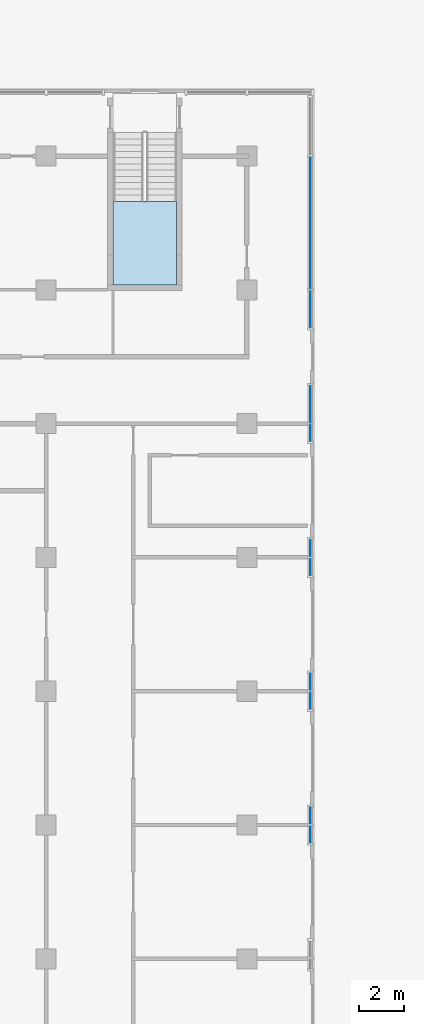
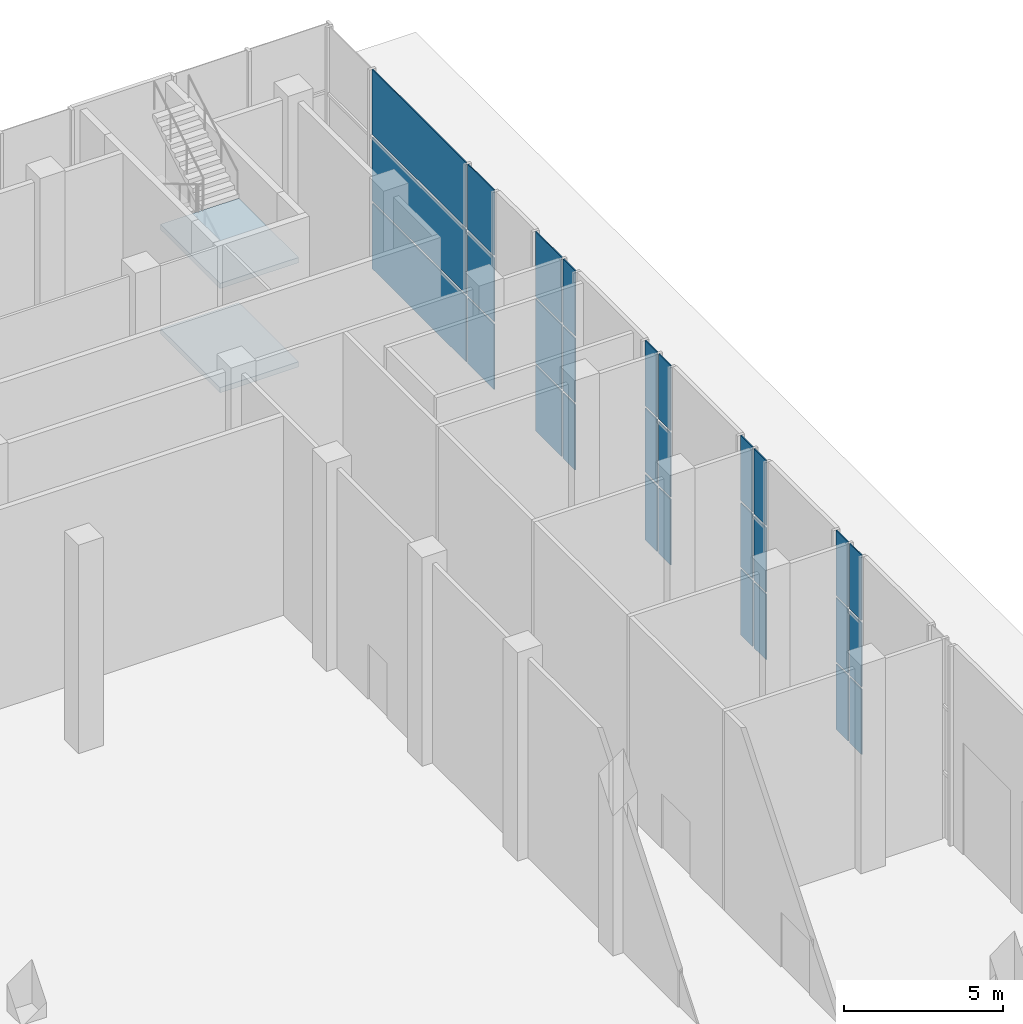
# One storey, part 14 of 29: 30 plates, 2 slabs, 6 elements without a shape of their own.
"""IFC4 building model written with IfcOpenShell, lengths in metres."""

from ifc_helpers import new_model, si_unit, direction, frame, origin, origin_2d, place, context, subcontext, project, spatial, polyline, rectangle, outline, extrude, material, layer, layer_set, type_object, element, aggregate, save


model = new_model("IFC4")

# Units and contexts
model_context = context("Model", 3, precision=1e-05, world=origin(), true_north=direction((0.0, 1.0)))
body_context = subcontext(model_context, "Body", "Model", "MODEL_VIEW")
ifc_project = project(units=[si_unit("LENGTHUNIT", "METRE"), si_unit("AREAUNIT", "SQUARE_METRE"), si_unit("VOLUMEUNIT", "CUBIC_METRE"), si_unit("PLANEANGLEUNIT", "RADIAN"), si_unit("MASSUNIT", "GRAM", prefix="KILO")], contexts=[model_context])

# Site, building, storey
site_placement = place(None, origin())
site = spatial("IfcSite", under=ifc_project, at=site_placement, CompositionType="ELEMENT")
building_placement = place(site_placement, origin())
building = spatial("IfcBuilding", under=site, at=building_placement, Name="Finial Court Residences", CompositionType="ELEMENT")
storey_placement = place(building_placement, origin())
storey = spatial("IfcBuildingStorey", under=building, at=storey_placement, Name="L00", CompositionType="ELEMENT", Elevation=0.0)

# Curtain wall, plates
ifc_material_1 = material(Name="Bronze anodised aluminium", Category="aluminium")
curtain_wall_type = type_object("IfcCurtainWallType", Name="Podium shopfront", PredefinedType="NOTDEFINED", material=ifc_material_1)
curtain_wall_1_placement = place(storey_placement, origin())
curtain_wall_1 = element("IfcCurtainWall", 1, at=curtain_wall_1_placement, inside=storey, type_object=curtain_wall_type, Name="E-L00-CW-E12", PredefinedType="NOTDEFINED")
ifc_material_2 = material(Name="Clear low-e glass", Category="glass")
ifc_layer_1 = layer(ifc_material_2, 0.0400390625)
ifc_layer_set_1 = layer_set([ifc_layer_1], Name="CW4 vision glass 40")
plate_type = type_object("IfcPlateType", Name="CW4 vision glass 40", PredefinedType="CURTAIN_PANEL", material=ifc_layer_set_1)
plate_1_placement = place(storey_placement, frame((61.35009765625, 1.074951171875, 0.0), z_axis=(0.0, 0.0, 1.0), x_axis=(0.0, 1.0, 0.0)))
plate_1 = element("IfcPlate", 2, at=plate_1_placement, type_object=plate_type, Name="CW4 glass 1.1", PredefinedType="CURTAIN_PANEL", context=body_context, shape_type="SweptSolid", body=[
    extrude(rectangle(XDim=0.75, YDim=0.0400390625, at=origin_2d()), origin(), (0.0, 0.0, 1.0), 2.5),
])
plate_2_placement = place(storey_placement, frame((61.35009765625, 1.074951171875, 2.60009765625), z_axis=(0.0, 0.0, 1.0), x_axis=(0.0, 1.0, 0.0)))
plate_2 = element("IfcPlate", 3, at=plate_2_placement, type_object=plate_type, Name="CW4 glass 1.2", PredefinedType="CURTAIN_PANEL", context=body_context, shape_type="SweptSolid", body=[
    extrude(rectangle(XDim=0.75, YDim=0.0400390625, at=origin_2d()), origin(), (0.0, 0.0, 1.0), 2.449951171875),
])
plate_3_placement = place(storey_placement, frame((61.35009765625, 1.074951171875, 5.14990234375), z_axis=(0.0, 0.0, 1.0), x_axis=(0.0, 1.0, 0.0)))
plate_3 = element("IfcPlate", 4, at=plate_3_placement, type_object=plate_type, Name="CW4 glass 1.3", PredefinedType="CURTAIN_PANEL", context=body_context, shape_type="SweptSolid", body=[
    extrude(rectangle(XDim=0.75, YDim=0.0400390625, at=origin_2d()), origin(), (0.0, 0.0, 1.0), 2.5),
])
plate_4_placement = place(storey_placement, frame((61.35009765625, 1.925048828125, 0.0), z_axis=(0.0, 0.0, 1.0), x_axis=(0.0, 1.0, 0.0)))
plate_4 = element("IfcPlate", 5, at=plate_4_placement, type_object=plate_type, Name="CW4 glass 2.1", PredefinedType="CURTAIN_PANEL", context=body_context, shape_type="SweptSolid", body=[
    extrude(rectangle(XDim=0.75, YDim=0.0400390625, at=origin_2d()), origin(), (0.0, 0.0, 1.0), 2.5),
])
plate_5_placement = place(storey_placement, frame((61.35009765625, 1.925048828125, 2.60009765625), z_axis=(0.0, 0.0, 1.0), x_axis=(0.0, 1.0, 0.0)))
plate_5 = element("IfcPlate", 6, at=plate_5_placement, type_object=plate_type, Name="CW4 glass 2.2", PredefinedType="CURTAIN_PANEL", context=body_context, shape_type="SweptSolid", body=[
    extrude(rectangle(XDim=0.75, YDim=0.0400390625, at=origin_2d()), origin(), (0.0, 0.0, 1.0), 2.449951171875),
])
plate_6_placement = place(storey_placement, frame((61.35009765625, 1.925048828125, 5.14990234375), z_axis=(0.0, 0.0, 1.0), x_axis=(0.0, 1.0, 0.0)))
plate_6 = element("IfcPlate", 7, at=plate_6_placement, type_object=plate_type, Name="CW4 glass 2.3", PredefinedType="CURTAIN_PANEL", context=body_context, shape_type="SweptSolid", body=[
    extrude(rectangle(XDim=0.75, YDim=0.0400390625, at=origin_2d()), origin(), (0.0, 0.0, 1.0), 2.5),
])
aggregate(curtain_wall_1, [plate_1, plate_2, plate_3, plate_4, plate_5, plate_6])

curtain_wall_2_placement = place(storey_placement, origin())
curtain_wall_2 = element("IfcCurtainWall", 8, at=curtain_wall_2_placement, inside=storey, type_object=curtain_wall_type, Name="E-L00-CW-E13", PredefinedType="NOTDEFINED")
plate_7_placement = place(storey_placement, frame((61.35009765625, 7.074951171875, 0.0), z_axis=(0.0, 0.0, 1.0), x_axis=(0.0, 1.0, 0.0)))
plate_7 = element("IfcPlate", 9, at=plate_7_placement, type_object=plate_type, Name="CW4 glass 1.1", PredefinedType="CURTAIN_PANEL", context=body_context, shape_type="SweptSolid", body=[
    extrude(rectangle(XDim=0.75, YDim=0.0400390625, at=origin_2d()), origin(), (0.0, 0.0, 1.0), 2.5),
])
plate_8_placement = place(storey_placement, frame((61.35009765625, 7.074951171875, 2.60009765625), z_axis=(0.0, 0.0, 1.0), x_axis=(0.0, 1.0, 0.0)))
plate_8 = element("IfcPlate", 10, at=plate_8_placement, type_object=plate_type, Name="CW4 glass 1.2", PredefinedType="CURTAIN_PANEL", context=body_context, shape_type="SweptSolid", body=[
    extrude(rectangle(XDim=0.75, YDim=0.0400390625, at=origin_2d()), origin(), (0.0, 0.0, 1.0), 2.449951171875),
])
plate_9_placement = place(storey_placement, frame((61.35009765625, 7.074951171875, 5.14990234375), z_axis=(0.0, 0.0, 1.0), x_axis=(0.0, 1.0, 0.0)))
plate_9 = element("IfcPlate", 11, at=plate_9_placement, type_object=plate_type, Name="CW4 glass 1.3", PredefinedType="CURTAIN_PANEL", context=body_context, shape_type="SweptSolid", body=[
    extrude(rectangle(XDim=0.75, YDim=0.0400390625, at=origin_2d()), origin(), (0.0, 0.0, 1.0), 2.5),
])
plate_10_placement = place(storey_placement, frame((61.35009765625, 7.925048828125, 0.0), z_axis=(0.0, 0.0, 1.0), x_axis=(0.0, 1.0, 0.0)))
plate_10 = element("IfcPlate", 12, at=plate_10_placement, type_object=plate_type, Name="CW4 glass 2.1", PredefinedType="CURTAIN_PANEL", context=body_context, shape_type="SweptSolid", body=[
    extrude(rectangle(XDim=0.75, YDim=0.0400390625, at=origin_2d()), origin(), (0.0, 0.0, 1.0), 2.5),
])
plate_11_placement = place(storey_placement, frame((61.35009765625, 7.925048828125, 2.60009765625), z_axis=(0.0, 0.0, 1.0), x_axis=(0.0, 1.0, 0.0)))
plate_11 = element("IfcPlate", 13, at=plate_11_placement, type_object=plate_type, Name="CW4 glass 2.2", PredefinedType="CURTAIN_PANEL", context=body_context, shape_type="SweptSolid", body=[
    extrude(rectangle(XDim=0.75, YDim=0.0400390625, at=origin_2d()), origin(), (0.0, 0.0, 1.0), 2.449951171875),
])
plate_12_placement = place(storey_placement, frame((61.35009765625, 7.925048828125, 5.14990234375), z_axis=(0.0, 0.0, 1.0), x_axis=(0.0, 1.0, 0.0)))
plate_12 = element("IfcPlate", 14, at=plate_12_placement, type_object=plate_type, Name="CW4 glass 2.3", PredefinedType="CURTAIN_PANEL", context=body_context, shape_type="SweptSolid", body=[
    extrude(rectangle(XDim=0.75, YDim=0.0400390625, at=origin_2d()), origin(), (0.0, 0.0, 1.0), 2.5),
])
aggregate(curtain_wall_2, [plate_7, plate_8, plate_9, plate_10, plate_11, plate_12])

curtain_wall_3_placement = place(storey_placement, origin())
curtain_wall_3 = element("IfcCurtainWall", 15, at=curtain_wall_3_placement, inside=storey, type_object=curtain_wall_type, Name="E-L00-CW-E14", PredefinedType="NOTDEFINED")
plate_13_placement = place(storey_placement, frame((61.35009765625, 13.074951171875, 0.0), z_axis=(0.0, 0.0, 1.0), x_axis=(0.0, 1.0, 0.0)))
plate_13 = element("IfcPlate", 16, at=plate_13_placement, type_object=plate_type, Name="CW4 glass 1.1", PredefinedType="CURTAIN_PANEL", context=body_context, shape_type="SweptSolid", body=[
    extrude(rectangle(XDim=0.75, YDim=0.0400390625, at=origin_2d()), origin(), (0.0, 0.0, 1.0), 2.5),
])
plate_14_placement = place(storey_placement, frame((61.35009765625, 13.074951171875, 2.60009765625), z_axis=(0.0, 0.0, 1.0), x_axis=(0.0, 1.0, 0.0)))
plate_14 = element("IfcPlate", 17, at=plate_14_placement, type_object=plate_type, Name="CW4 glass 1.2", PredefinedType="CURTAIN_PANEL", context=body_context, shape_type="SweptSolid", body=[
    extrude(rectangle(XDim=0.75, YDim=0.0400390625, at=origin_2d()), origin(), (0.0, 0.0, 1.0), 2.449951171875),
])
plate_15_placement = place(storey_placement, frame((61.35009765625, 13.074951171875, 5.14990234375), z_axis=(0.0, 0.0, 1.0), x_axis=(0.0, 1.0, 0.0)))
plate_15 = element("IfcPlate", 18, at=plate_15_placement, type_object=plate_type, Name="CW4 glass 1.3", PredefinedType="CURTAIN_PANEL", context=body_context, shape_type="SweptSolid", body=[
    extrude(rectangle(XDim=0.75, YDim=0.0400390625, at=origin_2d()), origin(), (0.0, 0.0, 1.0), 2.5),
])
plate_16_placement = place(storey_placement, frame((61.35009765625, 13.925048828125, 0.0), z_axis=(0.0, 0.0, 1.0), x_axis=(0.0, 1.0, 0.0)))
plate_16 = element("IfcPlate", 19, at=plate_16_placement, type_object=plate_type, Name="CW4 glass 2.1", PredefinedType="CURTAIN_PANEL", context=body_context, shape_type="SweptSolid", body=[
    extrude(rectangle(XDim=0.75, YDim=0.0400390625, at=origin_2d()), origin(), (0.0, 0.0, 1.0), 2.5),
])
plate_17_placement = place(storey_placement, frame((61.35009765625, 13.925048828125, 2.60009765625), z_axis=(0.0, 0.0, 1.0), x_axis=(0.0, 1.0, 0.0)))
plate_17 = element("IfcPlate", 20, at=plate_17_placement, type_object=plate_type, Name="CW4 glass 2.2", PredefinedType="CURTAIN_PANEL", context=body_context, shape_type="SweptSolid", body=[
    extrude(rectangle(XDim=0.75, YDim=0.0400390625, at=origin_2d()), origin(), (0.0, 0.0, 1.0), 2.449951171875),
])
plate_18_placement = place(storey_placement, frame((61.35009765625, 13.925048828125, 5.14990234375), z_axis=(0.0, 0.0, 1.0), x_axis=(0.0, 1.0, 0.0)))
plate_18 = element("IfcPlate", 21, at=plate_18_placement, type_object=plate_type, Name="CW4 glass 2.3", PredefinedType="CURTAIN_PANEL", context=body_context, shape_type="SweptSolid", body=[
    extrude(rectangle(XDim=0.75, YDim=0.0400390625, at=origin_2d()), origin(), (0.0, 0.0, 1.0), 2.5),
])
aggregate(curtain_wall_3, [plate_13, plate_14, plate_15, plate_16, plate_17, plate_18])

curtain_wall_4_placement = place(storey_placement, origin())
curtain_wall_4 = element("IfcCurtainWall", 22, at=curtain_wall_4_placement, inside=storey, type_object=curtain_wall_type, Name="E-L00-CW-E15", PredefinedType="NOTDEFINED")
plate_19_placement = place(storey_placement, frame((61.35009765625, 19.074951171875, 0.0), z_axis=(0.0, 0.0, 1.0), x_axis=(0.0, 1.0, 0.0)))
plate_19 = element("IfcPlate", 23, at=plate_19_placement, type_object=plate_type, Name="CW4 glass 1.1", PredefinedType="CURTAIN_PANEL", context=body_context, shape_type="SweptSolid", body=[
    extrude(rectangle(XDim=0.75, YDim=0.0400390625, at=origin_2d()), origin(), (0.0, 0.0, 1.0), 2.5),
])
plate_20_placement = place(storey_placement, frame((61.35009765625, 19.074951171875, 2.60009765625), z_axis=(0.0, 0.0, 1.0), x_axis=(0.0, 1.0, 0.0)))
plate_20 = element("IfcPlate", 24, at=plate_20_placement, type_object=plate_type, Name="CW4 glass 1.2", PredefinedType="CURTAIN_PANEL", context=body_context, shape_type="SweptSolid", body=[
    extrude(rectangle(XDim=0.75, YDim=0.0400390625, at=origin_2d()), origin(), (0.0, 0.0, 1.0), 2.449951171875),
])
plate_21_placement = place(storey_placement, frame((61.35009765625, 19.074951171875, 5.14990234375), z_axis=(0.0, 0.0, 1.0), x_axis=(0.0, 1.0, 0.0)))
plate_21 = element("IfcPlate", 25, at=plate_21_placement, type_object=plate_type, Name="CW4 glass 1.3", PredefinedType="CURTAIN_PANEL", context=body_context, shape_type="SweptSolid", body=[
    extrude(rectangle(XDim=0.75, YDim=0.0400390625, at=origin_2d()), origin(), (0.0, 0.0, 1.0), 2.5),
])
plate_22_placement = place(storey_placement, frame((61.35009765625, 20.375, 0.0), z_axis=(0.0, 0.0, 1.0), x_axis=(0.0, 1.0, 0.0)))
plate_22 = element("IfcPlate", 26, at=plate_22_placement, type_object=plate_type, Name="CW4 glass 2.1", PredefinedType="CURTAIN_PANEL", context=body_context, shape_type="SweptSolid", body=[
    extrude(rectangle(XDim=1.64990234375, YDim=0.0400390625, at=origin_2d()), origin(), (0.0, 0.0, 1.0), 2.5),
])
plate_23_placement = place(storey_placement, frame((61.35009765625, 20.375, 2.60009765625), z_axis=(0.0, 0.0, 1.0), x_axis=(0.0, 1.0, 0.0)))
plate_23 = element("IfcPlate", 27, at=plate_23_placement, type_object=plate_type, Name="CW4 glass 2.2", PredefinedType="CURTAIN_PANEL", context=body_context, shape_type="SweptSolid", body=[
    extrude(rectangle(XDim=1.64990234375, YDim=0.0400390625, at=origin_2d()), origin(), (0.0, 0.0, 1.0), 2.449951171875),
])
plate_24_placement = place(storey_placement, frame((61.35009765625, 20.375, 5.14990234375), z_axis=(0.0, 0.0, 1.0), x_axis=(0.0, 1.0, 0.0)))
plate_24 = element("IfcPlate", 28, at=plate_24_placement, type_object=plate_type, Name="CW4 glass 2.3", PredefinedType="CURTAIN_PANEL", context=body_context, shape_type="SweptSolid", body=[
    extrude(rectangle(XDim=1.64990234375, YDim=0.0400390625, at=origin_2d()), origin(), (0.0, 0.0, 1.0), 2.5),
])
aggregate(curtain_wall_4, [plate_19, plate_20, plate_21, plate_22, plate_23, plate_24])

curtain_wall_5_placement = place(storey_placement, origin())
curtain_wall_5 = element("IfcCurtainWall", 29, at=curtain_wall_5_placement, inside=storey, type_object=curtain_wall_type, Name="E-L00-CW-E16", PredefinedType="NOTDEFINED")
plate_25_placement = place(storey_placement, frame((61.35009765625, 24.625, 0.0), z_axis=(0.0, 0.0, 1.0), x_axis=(0.0, 1.0, 0.0)))
plate_25 = element("IfcPlate", 30, at=plate_25_placement, type_object=plate_type, Name="CW4 glass 1.1", PredefinedType="CURTAIN_PANEL", context=body_context, shape_type="SweptSolid", body=[
    extrude(rectangle(XDim=1.64990234375, YDim=0.0400390625, at=origin_2d()), origin(), (0.0, 0.0, 1.0), 2.5),
])
plate_26_placement = place(storey_placement, frame((61.35009765625, 24.625, 2.60009765625), z_axis=(0.0, 0.0, 1.0), x_axis=(0.0, 1.0, 0.0)))
plate_26 = element("IfcPlate", 31, at=plate_26_placement, type_object=plate_type, Name="CW4 glass 1.2", PredefinedType="CURTAIN_PANEL", context=body_context, shape_type="SweptSolid", body=[
    extrude(rectangle(XDim=1.64990234375, YDim=0.0400390625, at=origin_2d()), origin(), (0.0, 0.0, 1.0), 2.449951171875),
])
plate_27_placement = place(storey_placement, frame((61.35009765625, 24.625, 5.14990234375), z_axis=(0.0, 0.0, 1.0), x_axis=(0.0, 1.0, 0.0)))
plate_27 = element("IfcPlate", 32, at=plate_27_placement, type_object=plate_type, Name="CW4 glass 1.3", PredefinedType="CURTAIN_PANEL", context=body_context, shape_type="SweptSolid", body=[
    extrude(rectangle(XDim=1.64990234375, YDim=0.0400390625, at=origin_2d()), origin(), (0.0, 0.0, 1.0), 2.5),
])
plate_28_placement = place(storey_placement, frame((61.35009765625, 28.5, 0.0), z_axis=(0.0, 0.0, 1.0), x_axis=(0.0, 1.0, 0.0)))
plate_28 = element("IfcPlate", 33, at=plate_28_placement, type_object=plate_type, Name="CW4 glass 2.1", PredefinedType="CURTAIN_PANEL", context=body_context, shape_type="SweptSolid", body=[
    extrude(rectangle(XDim=5.89990234375, YDim=0.0400390625, at=origin_2d()), origin(), (0.0, 0.0, 1.0), 2.5),
])
plate_29_placement = place(storey_placement, frame((61.35009765625, 28.5, 2.60009765625), z_axis=(0.0, 0.0, 1.0), x_axis=(0.0, 1.0, 0.0)))
plate_29 = element("IfcPlate", 34, at=plate_29_placement, type_object=plate_type, Name="CW4 glass 2.2", PredefinedType="CURTAIN_PANEL", context=body_context, shape_type="SweptSolid", body=[
    extrude(rectangle(XDim=5.89990234375, YDim=0.0400390625, at=origin_2d()), origin(), (0.0, 0.0, 1.0), 2.449951171875),
])
plate_30_placement = place(storey_placement, frame((61.35009765625, 28.5, 5.14990234375), z_axis=(0.0, 0.0, 1.0), x_axis=(0.0, 1.0, 0.0)))
plate_30 = element("IfcPlate", 35, at=plate_30_placement, type_object=plate_type, Name="CW4 glass 2.3", PredefinedType="CURTAIN_PANEL", context=body_context, shape_type="SweptSolid", body=[
    extrude(rectangle(XDim=5.89990234375, YDim=0.0400390625, at=origin_2d()), origin(), (0.0, 0.0, 1.0), 2.5),
])
aggregate(curtain_wall_5, [plate_25, plate_26, plate_27, plate_28, plate_29, plate_30])

# Stair, slabs
ifc_material_3 = material(Name="Concrete C50/60", Category="concrete")
stair_type = type_object("IfcStairType", Name="Exit stair 48 risers of 166.7 mm", PredefinedType="HALF_TURN_STAIR", material=ifc_material_3)
stair_placement = place(storey_placement, origin())
stair = element("IfcStair", 36, at=stair_placement, inside=storey, type_object=stair_type, Name="L00 Exit Stair 5", PredefinedType="HALF_TURN_STAIR")
ifc_layer_2 = layer(ifc_material_3, 0.199951171875)
ifc_layer_set_2 = layer_set([ifc_layer_2], Name="Exit stair landing")
slab_type = type_object("IfcSlabType", Name="Exit stair landing", PredefinedType="LANDING", material=ifc_layer_set_2)
slab_1_placement = place(storey_placement, frame((0.0, 0.0, 1.800048828125)))
slab_1 = element("IfcSlab", 37, at=slab_1_placement, type_object=slab_type, Name="ST-5 landing 1", PredefinedType="LANDING", context=body_context, shape_type="SweptSolid", body=[
    extrude(outline(polyline([(52.5, 29.469970703125), (52.5, 25.719970703125), (55.35009765625, 25.719970703125), (55.35009765625, 29.469970703125), (52.5, 29.469970703125)])), origin(), (0.0, 0.0, 1.0), 0.199951171875),
])
slab_2_placement = place(storey_placement, frame((0.0, 0.0, 5.800048828125)))
slab_2 = element("IfcSlab", 38, at=slab_2_placement, type_object=slab_type, Name="ST-5 landing 3", PredefinedType="LANDING", context=body_context, shape_type="SweptSolid", body=[
    extrude(outline(polyline([(52.5, 29.469970703125), (52.5, 25.719970703125), (55.35009765625, 25.719970703125), (55.35009765625, 29.469970703125), (52.5, 29.469970703125)])), origin(), (0.0, 0.0, 1.0), 0.199951171875),
])
aggregate(stair, [slab_1, slab_2])

save(model, "model.ifc")
